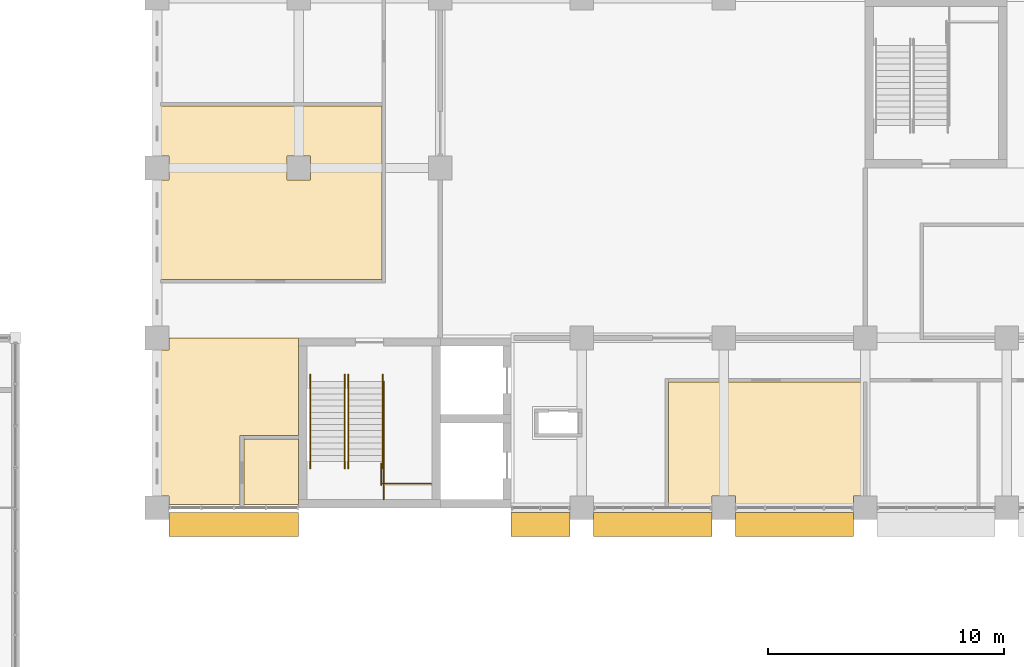
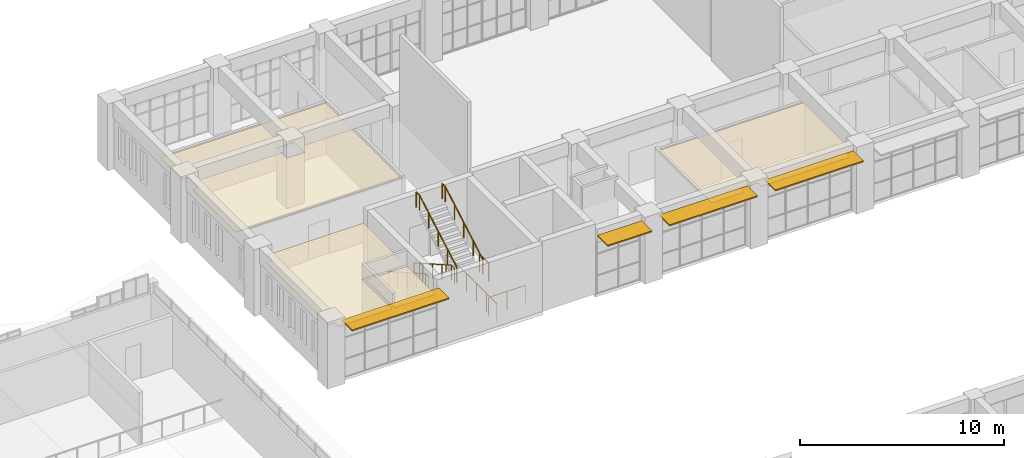
# One storey, part 85 of 92: 8 railings, 4 coverings, 4 shading devices.
"""IFC4 building model written with IfcOpenShell, lengths in metres."""

from ifc_helpers import new_model, si_unit, direction, frame, origin, origin_2d, place, context, subcontext, project, spatial, polyline, rectangle, circle, outline, extrude, material, layer, layer_set, type_object, element, save


model = new_model("IFC4")

# Units and contexts
model_context = context("Model", 3, precision=1e-05, world=origin(), true_north=direction((0.0, 1.0)))
body_context = subcontext(model_context, "Body", "Model", "MODEL_VIEW")
ifc_project = project(units=[si_unit("LENGTHUNIT", "METRE"), si_unit("AREAUNIT", "SQUARE_METRE"), si_unit("VOLUMEUNIT", "CUBIC_METRE"), si_unit("PLANEANGLEUNIT", "RADIAN"), si_unit("MASSUNIT", "GRAM", prefix="KILO")], contexts=[model_context])

# Site, building, storey
site_placement = place(None, origin())
site = spatial("IfcSite", under=ifc_project, at=site_placement, CompositionType="ELEMENT")
building_placement = place(site_placement, origin())
building = spatial("IfcBuilding", under=site, at=building_placement, Name="Laocheng Heights Fire and Rescue Headquarters", CompositionType="ELEMENT")
storey_placement = place(building_placement, frame((0.0, 0.0, 12.60009765625)))
storey = spatial("IfcBuildingStorey", under=building, at=storey_placement, Name="L03", CompositionType="ELEMENT", Elevation=12.60009765625)

# Shading devices
ifc_material_1 = material(Name="Precast concrete C40/50, light warm grey", Category="concrete")
ifc_layer_1 = layer(ifc_material_1, 0.080078125)
ifc_layer_set_1 = layer_set([ifc_layer_1], Name="Precast concrete C40/50, light warm grey")
shading_device_type = type_object("IfcShadingDeviceType", Name="PRECAST BLADE 1000 x 80 BLADE HQ SOUTH", PredefinedType="JALOUSIE", material=ifc_layer_set_1)
shading_device_1_placement = place(storey_placement, frame((39.25, 49.699951171875, 3.559814453125), z_axis=(0.0, 0.0, 1.0), x_axis=(1.0, 0.0, 0.0)))
element("IfcShadingDevice", 1, at=shading_device_1_placement, inside=storey, type_object=shading_device_type, Name="BLADE HQ SOUTH L03", PredefinedType="JALOUSIE", context=body_context, shape_type="SweptSolid", body=[
    extrude(rectangle(XDim=5.5, YDim=1.0, at=origin_2d()), origin(), (0.0, 0.0, 1.0), 0.080078125),
])
shading_device_2_placement = place(storey_placement, frame((52.25, 49.699951171875, 3.559814453125), z_axis=(0.0, 0.0, 1.0), x_axis=(1.0, 0.0, 0.0)))
element("IfcShadingDevice", 2, at=shading_device_2_placement, inside=storey, type_object=shading_device_type, Name="BLADE HQ SOUTH L03", PredefinedType="JALOUSIE", context=body_context, shape_type="SweptSolid", body=[
    extrude(rectangle(XDim=2.5, YDim=1.0, at=origin_2d()), origin(), (0.0, 0.0, 1.0), 0.080078125),
])
for number, where, z_axis, x_axis, name in (
    (3, (57.0, 49.699951171875, 3.559814453125), (0.0, 0.0, 1.0), (1.0, 0.0, 0.0), "BLADE HQ SOUTH L03"),
    (4, (63.0, 49.699951171875, 3.559814453125), (0.0, 0.0, 1.0), (1.0, 0.0, 0.0), "BLADE HQ SOUTH L03"),
):
    element("IfcShadingDevice", number, at=place(storey_placement, frame(where, z_axis=z_axis, x_axis=x_axis)), inside=storey, type_object=shading_device_type, Name=name, PredefinedType="JALOUSIE", context=body_context, shape_type="SweptSolid", body=[
        extrude(rectangle(XDim=5.0, YDim=1.0, at=origin_2d()), origin(), (0.0, 0.0, 1.0), 0.080078125),
    ])

# Railings
ifc_material_2 = material(Name="Steel Q355B", Category="steel")
railing_type_1 = type_object("IfcRailingType", Name="STAIR GUARD 1100", PredefinedType="GUARDRAIL", material=ifc_material_2)
railing_1_placement = place(storey_placement, frame((44.094970703125, 55.449951171875, 0.0)))
element("IfcRailing", 5, at=railing_1_placement, inside=storey, type_object=railing_type_1, Name="Stair H1 guard L03 well edge", PredefinedType="GUARDRAIL", context=body_context, shape_type="SweptSolid", body=[
    extrude(circle(Radius=0.02392578125, at=origin_2d()), frame((0.0, 0.0, 1.076171875), z_axis=(0.0, 1.0, 0.0), x_axis=(-1.0, 0.0, 0.0)), (0.0, 0.0, 1.0), 0.300048828125),
    extrude(circle(Radius=0.02099609375, at=origin_2d()), origin(), (0.0, 0.0, 1.0), 1.052001953125),
    extrude(circle(Radius=0.02099609375, at=origin_2d()), frame((0.0, 0.300048828125, 0.0)), (0.0, 0.0, 1.0), 1.052001953125),
])
railing_2_placement = place(storey_placement, frame((45.52490234375, 51.429931640625, 0.0)))
element("IfcRailing", 6, at=railing_2_placement, inside=storey, type_object=railing_type_1, Name="Stair H1 guard L03 tongue edge", PredefinedType="GUARDRAIL", context=body_context, shape_type="SweptSolid", body=[
    extrude(circle(Radius=0.02392578125, at=origin_2d()), frame((0.0, 0.0, 1.076171875), z_axis=(1.0, 0.0, 0.0), x_axis=(0.0, 1.0, 0.0)), (0.0, 0.0, 1.0), 2.0751953125),
    extrude(circle(Radius=0.02099609375, at=origin_2d()), origin(), (0.0, 0.0, 1.0), 1.052001953125),
    extrude(circle(Radius=0.02099609375, at=origin_2d()), frame((1.03759765625, 0.0, 0.0)), (0.0, 0.0, 1.0), 1.052001953125),
    extrude(circle(Radius=0.02099609375, at=origin_2d()), frame((2.0751953125, 0.0, 0.0)), (0.0, 0.0, 1.0), 1.052001953125),
])
railing_3_placement = place(storey_placement, frame((45.60498046875, 50.77001953125, 0.0)))
element("IfcRailing", 7, at=railing_3_placement, inside=storey, type_object=railing_type_1, Name="Stair H1 guard L03 strip edge", PredefinedType="GUARDRAIL", context=body_context, shape_type="SweptSolid", body=[
    extrude(circle(Radius=0.02392578125, at=origin_2d()), frame((0.0, 0.0, 1.076171875), z_axis=(0.0, 1.0, 0.0), x_axis=(-1.0, 0.0, 0.0)), (0.0, 0.0, 1.0), 4.97998046875),
    extrude(circle(Radius=0.02099609375, at=origin_2d()), origin(), (0.0, 0.0, 1.0), 1.052001953125),
    extrude(circle(Radius=0.02099609375, at=origin_2d()), frame((0.0, 0.99609375, 0.0)), (0.0, 0.0, 1.0), 1.052001953125),
    extrude(circle(Radius=0.02099609375, at=origin_2d()), frame((0.0, 1.991943359375, 0.0)), (0.0, 0.0, 1.0), 1.052001953125),
    extrude(circle(Radius=0.02099609375, at=origin_2d()), frame((0.0, 2.988037109375, 0.0)), (0.0, 0.0, 1.0), 1.052001953125),
    extrude(circle(Radius=0.02099609375, at=origin_2d()), frame((0.0, 3.98388671875, 0.0)), (0.0, 0.0, 1.0), 1.052001953125),
    extrude(circle(Radius=0.02099609375, at=origin_2d()), frame((0.0, 4.97998046875, 0.0)), (0.0, 0.0, 1.0), 1.052001953125),
])
railing_4_placement = place(storey_placement, frame((45.4951171875, 51.3701171875, 2.099853515625)))
element("IfcRailing", 8, at=railing_4_placement, inside=storey, type_object=railing_type_1, Name="Stair H1 guard L03 half landing", PredefinedType="GUARDRAIL", context=body_context, shape_type="SweptSolid", body=[
    extrude(circle(Radius=0.02392578125, at=origin_2d()), frame((0.0, 0.0, 1.076171875), z_axis=(0.0, 1.0, 0.0), x_axis=(-1.0, 0.0, 0.0)), (0.0, 0.0, 1.0), 0.89990234375),
    extrude(circle(Radius=0.02099609375, at=origin_2d()), origin(), (0.0, 0.0, 1.0), 1.052001953125),
    extrude(circle(Radius=0.02099609375, at=origin_2d()), frame((0.0, 0.89990234375, 0.0)), (0.0, 0.0, 1.0), 1.052001953125),
])
ifc_material_3 = material(Name="Steel Q355B", Category="steel")
railing_type_2 = type_object("IfcRailingType", Name="STAIR HANDRAIL 920", PredefinedType="HANDRAIL", material=ifc_material_3)
for number, where, name in (
    (9, (42.4951171875, 56.050048828125, 0.0), "Stair H1 handrail L03 1"),
    (10, (43.955078125, 56.050048828125, 0.0), "Stair H1 handrail L03 2"),
):
    element("IfcRailing", number, at=place(storey_placement, frame(where)), inside=storey, type_object=railing_type_2, Name=name, PredefinedType="HANDRAIL", context=body_context, shape_type="SweptSolid", body=[
        extrude(circle(Radius=0.02392578125, at=origin_2d()), frame((0.0, 0.0, 0.89599609375), z_axis=(0.0, -0.868544392059, 0.495611379029), x_axis=(1.0, 0.0, 0.0)), (0.0, 0.0, 1.0), 4.23681640625),
        extrude(circle(Radius=0.02392578125, at=origin_2d()), frame((0.0, -3.679931640625, 2.99560546875), z_axis=(0.0, -1.0, 0.0), x_axis=(1.0, 0.0, 0.0)), (0.0, 0.0, 1.0), 0.300048828125),
        extrude(circle(Radius=0.02099609375, at=origin_2d()), origin(), (0.0, 0.0, 1.0), 0.871826171875),
        extrude(circle(Radius=0.02099609375, at=origin_2d()), frame((0.0, -0.919921875, 0.52490234375)), (0.0, 0.0, 1.0), 0.871826171875),
        extrude(circle(Radius=0.02099609375, at=origin_2d()), frame((0.0, -1.83984375, 1.0498046875)), (0.0, 0.0, 1.0), 0.871826171875),
        extrude(circle(Radius=0.02099609375, at=origin_2d()), frame((0.0, -2.760009765625, 1.574951171875)), (0.0, 0.0, 1.0), 0.871826171875),
        extrude(circle(Radius=0.02099609375, at=origin_2d()), frame((0.0, -3.679931640625, 2.099853515625)), (0.0, 0.0, 1.0), 0.871826171875),
        extrude(circle(Radius=0.02099609375, at=origin_2d()), frame((0.0, -3.97998046875, 2.099853515625)), (0.0, 0.0, 1.0), 0.871826171875),
    ])
for number, where, name in (
    (11, (44.094970703125, 52.070068359375, 2.099853515625), "Stair H1 handrail L03 3"),
    (12, (45.554931640625, 52.070068359375, 2.099853515625), "Stair H1 handrail L03 4"),
):
    element("IfcRailing", number, at=place(storey_placement, frame(where)), inside=storey, type_object=railing_type_2, Name=name, PredefinedType="HANDRAIL", context=body_context, shape_type="SweptSolid", body=[
        extrude(circle(Radius=0.02392578125, at=origin_2d()), frame((0.0, 0.0, 0.89599609375), z_axis=(0.0, 0.868519587458, 0.495654845838), x_axis=(-1.0, 0.0, 0.0)), (0.0, 0.0, 1.0), 4.237060546875),
        extrude(circle(Radius=0.02392578125, at=origin_2d()), frame((0.0, 3.679931640625, 2.99609375), z_axis=(0.0, 1.0, 0.0), x_axis=(-1.0, 0.0, 0.0)), (0.0, 0.0, 1.0), 0.300048828125),
        extrude(circle(Radius=0.02099609375, at=origin_2d()), origin(), (0.0, 0.0, 1.0), 0.871826171875),
        extrude(circle(Radius=0.02099609375, at=origin_2d()), frame((0.0, 0.919921875, 0.52490234375)), (0.0, 0.0, 1.0), 0.871826171875),
        extrude(circle(Radius=0.02099609375, at=origin_2d()), frame((0.0, 1.83984375, 1.050048828125)), (0.0, 0.0, 1.0), 0.871826171875),
        extrude(circle(Radius=0.02099609375, at=origin_2d()), frame((0.0, 2.760009765625, 1.5751953125)), (0.0, 0.0, 1.0), 0.871826171875),
        extrude(circle(Radius=0.02099609375, at=origin_2d()), frame((0.0, 3.679931640625, 2.10009765625)), (0.0, 0.0, 1.0), 0.871826171875),
        extrude(circle(Radius=0.02099609375, at=origin_2d()), frame((0.0, 3.97998046875, 2.10009765625)), (0.0, 0.0, 1.0), 0.871826171875),
    ])

# Coverings
ifc_material_4 = material(Name="Mineral fibre ceiling tile")
ifc_layer_2 = layer(ifc_material_4, 0.0400390625)
ifc_layer_set_2 = layer_set([ifc_layer_2], Name="Mineral fibre ceiling tile")
covering_type = type_object("IfcCoveringType", Name="SUSPENDED CEILING MINERAL FIBRE TILE HQ WING", PredefinedType="CEILING", material=ifc_layer_set_2)
covering_1_placement = place(storey_placement, frame((0.0, 0.0, 3.0)))
element("IfcCovering", 13, at=covering_1_placement, inside=storey, type_object=covering_type, Name="Control Room Visitors' Lobby ceiling", PredefinedType="CEILING", context=body_context, shape_type="SweptSolid", body=[
    extrude(outline(polyline([(42.0, 53.47509765625), (39.675048828125, 53.47509765625), (39.52490234375, 53.47509765625), (39.52490234375, 50.550048828125), (36.5, 50.550048828125), (36.5, 50.89990234375), (36.14990234375, 50.89990234375), (36.14990234375, 57.10009765625), (36.5, 57.10009765625), (36.5, 57.60009765625), (42.0, 57.60009765625), (42.0, 53.47509765625)])), origin(), (0.0, 0.0, 1.0), 0.039794921875),
])
covering_2_placement = place(storey_placement, frame((0.0, 0.0, 3.0)))
element("IfcCovering", 14, at=covering_2_placement, inside=storey, type_object=covering_type, Name="Accessible WC ceiling", PredefinedType="CEILING", context=body_context, shape_type="SweptSolid", body=[
    extrude(outline(polyline([(39.675048828125, 50.550048828125), (39.675048828125, 53.324951171875), (42.0, 53.324951171875), (42.0, 50.550048828125), (39.675048828125, 50.550048828125)])), origin(), (0.0, 0.0, 1.0), 0.039794921875),
])
covering_3_placement = place(storey_placement, frame((0.0, 0.0, 3.0)))
element("IfcCovering", 15, at=covering_3_placement, inside=storey, type_object=covering_type, Name="Planning Office ceiling", PredefinedType="CEILING", context=body_context, shape_type="SweptSolid", body=[
    extrude(outline(polyline([(45.52490234375, 60.074951171875), (36.14990234375, 60.074951171875), (36.14990234375, 64.300048828125), (36.5, 64.300048828125), (36.5, 65.300048828125), (36.14990234375, 65.300048828125), (36.14990234375, 67.425048828125), (45.52490234375, 67.425048828125), (45.52490234375, 60.074951171875)]), holes=[polyline([(42.5, 65.300048828125), (41.5, 65.300048828125), (41.5, 64.300048828125), (42.5, 64.300048828125), (42.5, 65.300048828125)])]), origin(), (0.0, 0.0, 1.0), 0.039794921875),
])
covering_4_placement = place(storey_placement, frame((0.0, 0.0, 3.0)))
element("IfcCovering", 16, at=covering_4_placement, inside=storey, type_object=covering_type, Name="Crisis Management Suite ceiling", PredefinedType="CEILING", context=body_context, shape_type="SweptSolid", body=[
    extrude(outline(polyline([(65.925048828125, 55.72509765625), (65.925048828125, 50.89990234375), (65.5, 50.89990234375), (65.5, 50.550048828125), (60.5, 50.550048828125), (60.5, 50.89990234375), (59.5, 50.89990234375), (59.5, 50.550048828125), (57.675048828125, 50.550048828125), (57.675048828125, 55.72509765625), (65.925048828125, 55.72509765625)])), origin(), (0.0, 0.0, 1.0), 0.039794921875),
])

save(model, "model.ifc")
